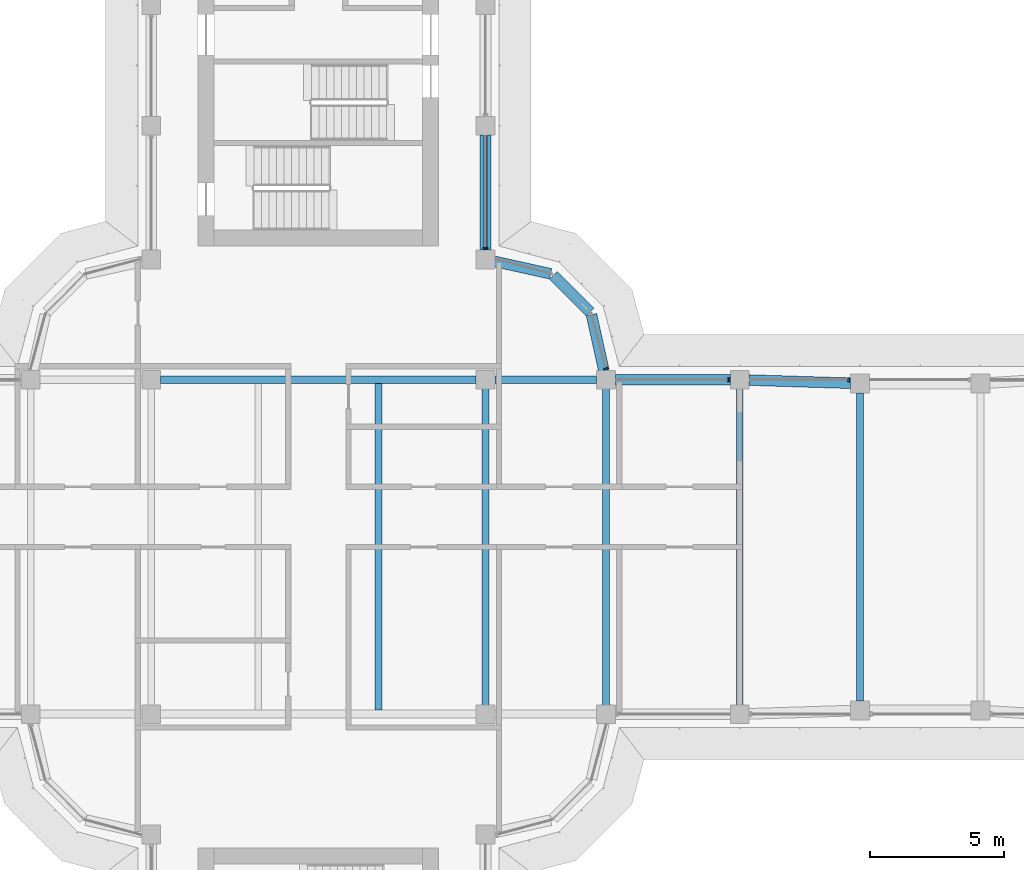
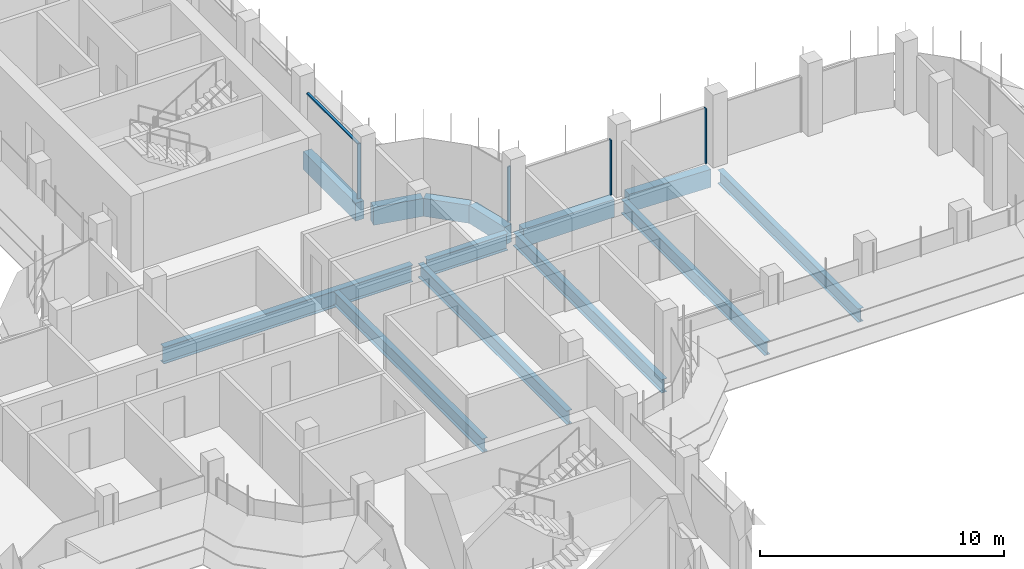
# One storey, part 8 of 18: 13 beams, 5 members, 3 elements without a shape of their own.
"""IFC4 building model written with IfcOpenShell, lengths in metres."""

from ifc_helpers import new_model, si_unit, direction, frame, origin, origin_2d, place, context, subcontext, project, spatial, polyline, rectangle, i_section, outline, extrude, source, transform, mapped, material, material_profile, profile_set, type_object, element, aggregate, save


model = new_model("IFC4")

# Units and contexts
model_context = context("Model", 3, precision=1e-05, world=origin(), true_north=direction((0.0, 1.0)))
body_context = subcontext(model_context, "Body", "Model", "MODEL_VIEW")
ifc_project = project(units=[si_unit("LENGTHUNIT", "METRE"), si_unit("AREAUNIT", "SQUARE_METRE"), si_unit("VOLUMEUNIT", "CUBIC_METRE"), si_unit("PLANEANGLEUNIT", "RADIAN"), si_unit("MASSUNIT", "GRAM", prefix="KILO")], contexts=[model_context])

# Site, building, storey
site_placement = place(None, origin())
site = spatial("IfcSite", under=ifc_project, at=site_placement, CompositionType="ELEMENT")
building_placement = place(site_placement, origin())
building = spatial("IfcBuilding", under=site, at=building_placement, Name="Zarbagh Exchange Tower", CompositionType="ELEMENT")
storey_placement = place(building_placement, frame((0.0, 0.0, 210.60009765625)))
storey = spatial("IfcBuildingStorey", under=building, at=storey_placement, Name="L51", CompositionType="ELEMENT", Elevation=210.60009765625)

# Beams
ifc_material_1 = material(Name="Steel ASTM A992 Gr 50", Category="steel")
ifc_material_profile_1 = material_profile(ifc_material_1, i_section(OverallWidth=0.25390625, OverallDepth=0.67822265625, WebThickness=0.01171875, FlangeThickness=0.016357421875, at=origin_2d()), Name="W27X84")
ifc_profile_set_1 = profile_set([ifc_material_profile_1], Name="Steel ASTM A992 Gr 50")
beam_type_1 = type_object("IfcBeamType", Name="Floor beam W27X84", PredefinedType="BEAM", material=ifc_profile_set_1)
for number, where, z_axis, x_axis, name in (
    (1, (2.25, -6.10400390625, -0.4892578125), (0.0, 1.0, 0.0), (-1.0, 0.0, 0.0), "Steel floor beam"),
    (2, (6.25, -6.10400390625, -0.4892578125), (0.0, 1.0, 0.0), (-1.0, 0.0, 0.0), "Steel floor beam"),
    (3, (10.75, -6.10400390625, -0.4892578125), (0.0, 1.0, 0.0), (-1.0, 0.0, 0.0), "Steel floor beam"),
):
    element("IfcBeam", number, at=place(storey_placement, frame(where, z_axis=z_axis, x_axis=x_axis)), inside=storey, type_object=beam_type_1, Name=name, PredefinedType="BEAM", context=body_context, shape_type="SweptSolid", body=[
        extrude(i_section(OverallWidth=0.25390625, OverallDepth=0.67822265625, WebThickness=0.01171875, FlangeThickness=0.016357421875, at=origin_2d()), origin(), (0.0, 0.0, 1.0), 12.2080078125),
    ])
beam_1_placement = place(storey_placement, frame((15.75, -5.89990234375, -0.4892578125), z_axis=(0.0, 1.0, 0.0), x_axis=(-1.0, 0.0, 0.0)))
element("IfcBeam", 4, at=beam_1_placement, inside=storey, type_object=beam_type_1, Name="Steel floor beam", PredefinedType="BEAM", context=body_context, shape_type="SweptSolid", body=[
    extrude(i_section(OverallWidth=0.25390625, OverallDepth=0.67822265625, WebThickness=0.01171875, FlangeThickness=0.016357421875, at=origin_2d()), origin(), (0.0, 0.0, 1.0), 11.7998046875),
])
beam_2_placement = place(storey_placement, frame((20.25, -5.760009765625, -0.4892578125), z_axis=(0.0, 1.0, 0.0), x_axis=(-1.0, 0.0, 0.0)))
element("IfcBeam", 5, at=beam_2_placement, inside=storey, type_object=beam_type_1, Name="Steel floor beam", PredefinedType="BEAM", context=body_context, shape_type="SweptSolid", body=[
    extrude(i_section(OverallWidth=0.25390625, OverallDepth=0.67822265625, WebThickness=0.01171875, FlangeThickness=0.016357421875, at=origin_2d()), origin(), (0.0, 0.0, 1.0), 11.52001953125),
])
ifc_material_profile_2 = material_profile(ifc_material_1, i_section(OverallWidth=0.2919921875, OverallDepth=0.835693359375, WebThickness=0.013916015625, FlangeThickness=0.018798828125, at=origin_2d()), Name="W33X118")
ifc_profile_set_2 = profile_set([ifc_material_profile_2], Name="Steel ASTM A992 Gr 50")
beam_type_2 = type_object("IfcBeamType", Name="Floor girder W33X118", PredefinedType="BEAM", material=ifc_profile_set_2)
beam_3_placement = place(storey_placement, frame((-5.89990234375, 6.25, -0.56787109375), z_axis=(1.0, 0.0, 0.0), x_axis=(0.0, 1.0, 0.0)))
element("IfcBeam", 6, at=beam_3_placement, inside=storey, type_object=beam_type_2, Name="Steel girder", PredefinedType="BEAM", context=body_context, shape_type="SweptSolid", body=[
    extrude(i_section(OverallWidth=0.2919921875, OverallDepth=0.835693359375, WebThickness=0.013916015625, FlangeThickness=0.018798828125, at=origin_2d()), origin(), (0.0, 0.0, 1.0), 11.7998046875),
])
beam_4_placement = place(storey_placement, frame((6.60009765625, 6.25, -0.56787109375), z_axis=(1.0, 0.0, 0.0), x_axis=(0.0, 1.0, 0.0)))
element("IfcBeam", 7, at=beam_4_placement, inside=storey, type_object=beam_type_2, Name="Steel girder", PredefinedType="BEAM", context=body_context, shape_type="SweptSolid", body=[
    extrude(i_section(OverallWidth=0.2919921875, OverallDepth=0.835693359375, WebThickness=0.013916015625, FlangeThickness=0.018798828125, at=origin_2d()), origin(), (0.0, 0.0, 1.0), 3.7998046875),
])
ifc_material_2 = material(Name="Concrete C50/60", Category="concrete")
ifc_material_profile_3 = material_profile(ifc_material_2, rectangle(XDim=0.39990234375, YDim=0.89990234375, at=origin_2d()), Name="RC spandrel beam 400 x 900 C50/60")
ifc_profile_set_3 = profile_set([ifc_material_profile_3], Name="Concrete C50/60")
beam_type_3 = type_object("IfcBeamType", Name="RC spandrel beam 400 x 900 C50/60", PredefinedType="SPANDREL", material=ifc_profile_set_3)
beam_5_placement = place(storey_placement, frame((6.25, 15.39990234375, -0.60009765625), z_axis=(0.0, -1.0, 0.0), x_axis=(1.0, 0.0, 0.0)))
element("IfcBeam", 8, at=beam_5_placement, inside=storey, type_object=beam_type_3, Name="RC spandrel beam", PredefinedType="SPANDREL", context=body_context, shape_type="SweptSolid", body=[
    extrude(rectangle(XDim=0.39990234375, YDim=0.89990234375, at=origin_2d()), origin(), (0.0, 0.0, 1.0), 4.2998046875),
])
beam_6_placement = place(storey_placement, frame((6.591796875, 10.67431640625, -0.60009765625), z_axis=(0.97639036545, -0.216013551096, 0.0), x_axis=(0.216013551096, 0.97639036545, 0.0)))
element("IfcBeam", 9, at=beam_6_placement, inside=storey, type_object=beam_type_3, Name="RC spandrel beam", PredefinedType="SPANDREL", context=body_context, shape_type="SweptSolid", body=[
    extrude(rectangle(XDim=0.39990234375, YDim=0.89990234375, at=origin_2d()), origin(), (0.0, 0.0, 1.0), 2.142822265625),
])
beam_7_placement = place(storey_placement, frame((8.782470703125, 10.15771484375, -0.60009765625), z_axis=(0.707106781187, -0.707106781187, 0.0), x_axis=(0.707106781187, 0.707106781187, 0.0)))
element("IfcBeam", 10, at=beam_7_placement, inside=storey, type_object=beam_type_3, Name="RC spandrel beam", PredefinedType="SPANDREL", context=body_context, shape_type="SweptSolid", body=[
    extrude(rectangle(XDim=0.39990234375, YDim=0.89990234375, at=origin_2d()), origin(), (0.0, 0.0, 1.0), 1.94482421875),
])
beam_8_placement = place(storey_placement, frame((10.21142578125, 8.68408203125, -0.60009765625), z_axis=(0.216013551096, -0.97639036545, 0.0), x_axis=(0.97639036545, 0.216013551096, 0.0)))
element("IfcBeam", 11, at=beam_8_placement, inside=storey, type_object=beam_type_3, Name="RC spandrel beam", PredefinedType="SPANDREL", context=body_context, shape_type="SweptSolid", body=[
    extrude(rectangle(XDim=0.39990234375, YDim=0.89990234375, at=origin_2d()), origin(), (0.0, 0.0, 1.0), 2.142822265625),
])
beam_9_placement = place(storey_placement, frame((11.10009765625, 6.25, -0.60009765625), z_axis=(1.0, 0.0, 0.0), x_axis=(0.0, 1.0, 0.0)))
element("IfcBeam", 12, at=beam_9_placement, inside=storey, type_object=beam_type_3, Name="RC spandrel beam", PredefinedType="SPANDREL", context=body_context, shape_type="SweptSolid", body=[
    extrude(rectangle(XDim=0.39990234375, YDim=0.89990234375, at=origin_2d()), origin(), (0.0, 0.0, 1.0), 4.2998046875),
])
beam_10_placement = place(storey_placement, frame((16.099853515625, 6.239013671875, -0.60009765625), z_axis=(0.999516950199, -0.031078389046, 0.0), x_axis=(0.031078389046, 0.999516950199, 0.0)))
element("IfcBeam", 13, at=beam_10_placement, inside=storey, type_object=beam_type_3, Name="RC spandrel beam", PredefinedType="SPANDREL", context=body_context, shape_type="SweptSolid", body=[
    extrude(rectangle(XDim=0.39990234375, YDim=0.89990234375, at=origin_2d()), origin(), (0.0, 0.0, 1.0), 3.80224609375),
])

# Curtain wall, members
ifc_material_3 = material(Name="Anodised aluminium frame and glazing", Category="aluminium")
curtain_wall_type = type_object("IfcCurtainWallType", Name="CWB Ribbon glazing, upper zones", PredefinedType="NOTDEFINED", material=ifc_material_3)
curtain_wall_1_placement = place(storey_placement, origin())
curtain_wall_1 = element("IfcCurtainWall", 14, at=curtain_wall_1_placement, inside=storey, type_object=curtain_wall_type, Name="CWB16 curtain wall", PredefinedType="NOTDEFINED")
ifc_material_4 = material(Name="Anodised aluminium frame", Category="aluminium")
member_type_1 = type_object("IfcMemberType", Name="MUB Mullion, anodised aluminium frame", PredefinedType="MULLION", material=ifc_material_4)
shared_shape_1 = source(origin(), body_context, "Body", "SweptSolid", [
    extrude(outline(polyline([(0.0, -0.080078125), (0.06005859375, -0.080078125), (0.06005859375, 0.080078125), (0.0, 0.080078125), (0.0, -0.080078125)])), origin(), (0.0, 0.0, 1.0), 2.75),
])
placement = place(storey_placement, origin())
member_1 = element("IfcMember", 15, at=placement, type_object=member_type_1, Name="CWB16 mullion 3.1", PredefinedType="MULLION", context=body_context, shape_type="MappedRepresentation", body=[
    mapped(shared_shape_1, transform((19.85986328125, 6.25, 0.0), x_axis=(-1.0, 0.0, 0.0), y_axis=(0.0, -1.0, 0.0), z_axis=(0.0, 0.0, 1.0))),
])
member_2 = element("IfcMember", 16, at=placement, type_object=member_type_1, Name="CWB16 mullion 4.1", PredefinedType="MULLION", context=body_context, shape_type="MappedRepresentation", body=[
    mapped(shared_shape_1, transform((15.35986328125, 6.25, 0.0), x_axis=(-1.0, 0.0, 0.0), y_axis=(0.0, -1.0, 0.0), z_axis=(0.0, 0.0, 1.0))),
])
aggregate(curtain_wall_1, [member_1, member_2])

# Curtain wall, member
curtain_wall_2_placement = place(storey_placement, origin())
curtain_wall_2 = element("IfcCurtainWall", 17, at=curtain_wall_2_placement, inside=storey, type_object=curtain_wall_type, Name="CWB17 curtain wall", PredefinedType="NOTDEFINED")
member_3 = element("IfcMember", 18, at=placement, type_object=member_type_1, Name="CWB17 mullion 1.1", PredefinedType="MULLION", context=body_context, shape_type="MappedRepresentation", body=[
    mapped(shared_shape_1, transform((10.76171875, 6.64013671875, 0.0), x_axis=(-0.258824779902, 0.965924289636, 0.0), y_axis=(-0.965924289636, -0.258824779902, 0.0), z_axis=(0.0, 0.0, 1.0))),
])
aggregate(curtain_wall_2, [member_3])

# Curtain wall, members
curtain_wall_3_placement = place(storey_placement, origin())
curtain_wall_3 = element("IfcCurtainWall", 19, at=curtain_wall_3_placement, inside=storey, type_object=curtain_wall_type, Name="CWB20 curtain wall", PredefinedType="NOTDEFINED")
member_4 = element("IfcMember", 20, at=placement, type_object=member_type_1, Name="CWB20 mullion 1.1", PredefinedType="MULLION", context=body_context, shape_type="MappedRepresentation", body=[
    mapped(shared_shape_1, transform((6.25, 11.14013671875, 0.0), x_axis=(0.0, 1.0, 0.0), y_axis=(-1.0, 0.0, 0.0), z_axis=(0.0, 0.0, 1.0))),
])
member_type_2 = type_object("IfcMemberType", Name="TRB Transom, anodised aluminium frame", PredefinedType="USERDEFINED", material=ifc_material_4)
shared_shape_2 = source(origin(), body_context, "Body", "SweptSolid", [
    extrude(outline(polyline([(-0.06005859375, -0.06005859375), (0.0, -0.06005859375), (0.0, 0.06005859375), (-0.06005859375, 0.06005859375), (-0.06005859375, -0.06005859375)])), origin(), (0.0, 0.0, 1.0), 4.159912109375),
])
member_5 = element("IfcMember", 21, at=placement, type_object=member_type_2, Name="CWB20 transom 1.1", ObjectType="TRANSOM", PredefinedType="USERDEFINED", context=body_context, shape_type="MappedRepresentation", body=[
    mapped(shared_shape_2, transform((6.25, 11.199951171875, 2.75), x_axis=(0.0, 0.0, 1.0), y_axis=(1.0, 0.0, 0.0), z_axis=(0.0, 1.0, 0.0))),
])
aggregate(curtain_wall_3, [member_4, member_5])

save(model, "model.ifc")
